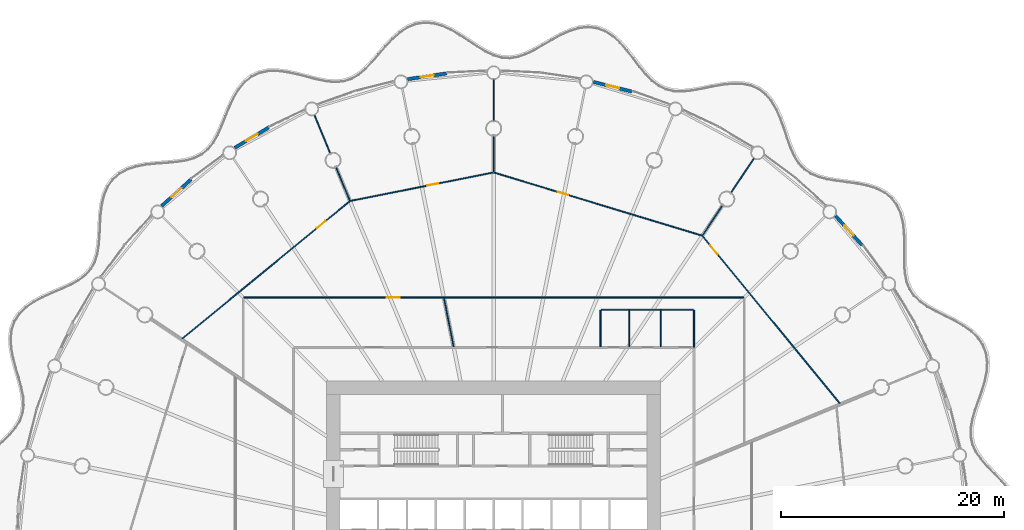
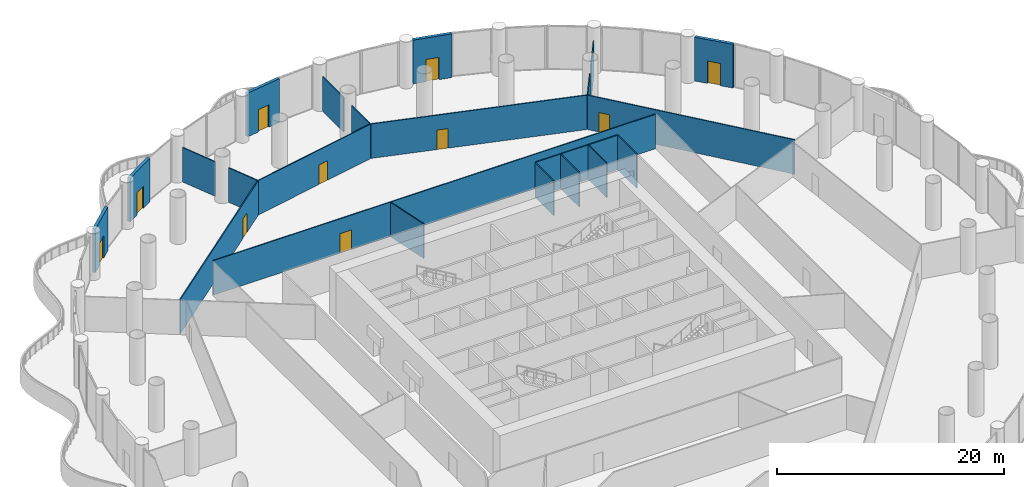
# One storey, part 29 of 38: 22 walls, 10 doors, 10 openings.
"""IFC4 building model written with IfcOpenShell, lengths in metres."""

from ifc_helpers import new_model, si_unit, direction, frame, frame_2d, origin, place, context, subcontext, project, spatial, rectangle, extrude, material, layer, layer_set, type_object, element, fill, save


model = new_model("IFC4")

# Units and contexts
model_context = context("Model", 3, precision=1e-05, world=origin(), true_north=direction((0.0, 1.0)))
body_context = subcontext(model_context, "Body", "Model", "MODEL_VIEW")
ifc_project = project(units=[si_unit("LENGTHUNIT", "METRE"), si_unit("AREAUNIT", "SQUARE_METRE"), si_unit("VOLUMEUNIT", "CUBIC_METRE"), si_unit("PLANEANGLEUNIT", "RADIAN"), si_unit("MASSUNIT", "GRAM", prefix="KILO")], contexts=[model_context])

# Site, building, storey
site_placement = place(None, origin())
site = spatial("IfcSite", under=ifc_project, at=site_placement, CompositionType="ELEMENT")
building_placement = place(site_placement, origin())
building = spatial("IfcBuilding", under=site, at=building_placement, Name="Corvane Civic Tower", CompositionType="ELEMENT")
storey_placement = place(building_placement, frame((0.0, 0.0, 32.0)))
storey = spatial("IfcBuildingStorey", under=building, at=storey_placement, Name="L06", CompositionType="ELEMENT", Elevation=32.0)

# Wall, opening, door
ifc_material_1 = material(Name="Terracotta cladding", Category="masonry")
ifc_layer_1 = layer(ifc_material_1, 0.300048828125)
ifc_layer_set_1 = layer_set([ifc_layer_1], Name="Terracotta cladding")
wall_type_1 = type_object("IfcWallType", Name="PODIUM-W-DRUMDOOR-300", PredefinedType="SOLIDWALL", material=ifc_layer_set_1)
wall_1_placement = place(storey_placement, frame((8.973388671875, 41.872802734375, 0.0), z_axis=(0.0, 0.0, 1.0), x_axis=(0.970025385974, -0.243003601959, 0.0)))
wall_1 = element("IfcWall", 1, at=wall_1_placement, inside=storey, type_object=wall_type_1, Name="L06 drum door bay wall 02", PredefinedType="SOLIDWALL", context=body_context, shape_type="SweptSolid", body=[
    extrude(rectangle(XDim=3.5595703125, YDim=0.300048828125, at=frame_2d((1.77978515625, 0.0))), origin(), (0.0, 0.0, 1.0), 4.699951171875),
])
opening_1_placement = place(wall_1_placement, frame((1.179931640625, 0.0, 0.0)))
opening_1 = element("IfcOpeningElement", 2, at=opening_1_placement, cuts=wall_1, Name="Opening ED-L06-02", PredefinedType="OPENING", context=body_context, shape_type="SweptSolid", body=[
    extrude(rectangle(XDim=1.199951171875, YDim=2.39990234375, at=frame_2d((0.60009765625, 1.199951171875))), frame((0.0, 0.159912109375, 0.0), z_axis=(0.0, -1.0, 0.0), x_axis=(1.0, 0.0, 0.0)), (0.0, 0.0, 1.0), 0.320068359375),
])
ifc_material_2 = material(Name="Anodised aluminium and glass", Category="aluminium")
door_type_1 = type_object("IfcDoorType", Name="PODIUM-D-BALCONY-1200", OperationType="SINGLE_SWING_LEFT", PredefinedType="DOOR", material=ifc_material_2)
door_1_placement = place(opening_1_placement, origin())
door_1 = element("IfcDoor", 3, at=door_1_placement, inside=storey, type_object=door_type_1, Name="L06 balcony door 02", OperationType="SINGLE_SWING_RIGHT", OverallHeight=2.39990234375, OverallWidth=1.199951171875, PredefinedType="DOOR", context=body_context, shape_type="SweptSolid", body=[
    extrude(rectangle(XDim=1.199951171875, YDim=2.39990234375, at=frame_2d((0.60009765625, 1.199951171875))), frame((0.0, 0.02490234375, 0.0), z_axis=(0.0, -1.0, 0.0), x_axis=(1.0, 0.0, 0.0)), (0.0, 0.0, 1.0), 0.050048828125),
])
fill(opening_1, door_1)

wall_2_placement = place(storey_placement, frame((30.72412109375, 29.83056640625, 0.0), z_axis=(0.0, 0.0, 1.0), x_axis=(0.671590022694, -0.740922965913, 0.0)))
wall_2 = element("IfcWall", 4, at=wall_2_placement, inside=storey, type_object=wall_type_1, Name="L06 drum door bay wall 05", PredefinedType="SOLIDWALL", context=body_context, shape_type="SweptSolid", body=[
    extrude(rectangle(XDim=3.56005859375, YDim=0.300048828125, at=frame_2d((1.780029296875, 0.0))), origin(), (0.0, 0.0, 1.0), 4.699951171875),
])
opening_2_placement = place(wall_2_placement, frame((1.179931640625, 0.0, 0.0)))
opening_2 = element("IfcOpeningElement", 5, at=opening_2_placement, cuts=wall_2, Name="Opening ED-L06-05", PredefinedType="OPENING", context=body_context, shape_type="SweptSolid", body=[
    extrude(rectangle(XDim=1.199951171875, YDim=2.39990234375, at=frame_2d((0.60009765625, 1.199951171875))), frame((0.0, 0.159912109375, 0.0), z_axis=(0.0, -1.0, 0.0), x_axis=(1.0, 0.0, 0.0)), (0.0, 0.0, 1.0), 0.320068359375),
])
door_2_placement = place(opening_2_placement, origin())
door_2 = element("IfcDoor", 6, at=door_2_placement, inside=storey, type_object=door_type_1, Name="L06 balcony door 05", OperationType="SINGLE_SWING_LEFT", OverallHeight=2.39990234375, OverallWidth=1.199951171875, PredefinedType="DOOR", context=body_context, shape_type="SweptSolid", body=[
    extrude(rectangle(XDim=1.199951171875, YDim=2.39990234375, at=frame_2d((0.60009765625, 1.199951171875))), frame((0.0, 0.02490234375, 0.0), z_axis=(0.0, -1.0, 0.0), x_axis=(1.0, 0.0, 0.0)), (0.0, 0.0, 1.0), 0.050048828125),
])
fill(opening_2, door_2)

wall_3_placement = place(storey_placement, frame((-29.83056640625, 30.72412109375, 0.0), z_axis=(0.0, 0.0, 1.0), x_axis=(0.740922965913, 0.671590022694, 0.0)))
wall_3 = element("IfcWall", 7, at=wall_3_placement, inside=storey, type_object=wall_type_1, Name="L06 drum door bay wall 29", PredefinedType="SOLIDWALL", context=body_context, shape_type="SweptSolid", body=[
    extrude(rectangle(XDim=3.56005859375, YDim=0.300048828125, at=frame_2d((1.780029296875, 0.0))), origin(), (0.0, 0.0, 1.0), 4.699951171875),
])
opening_3_placement = place(wall_3_placement, frame((1.179931640625, 0.0, 0.0)))
opening_3 = element("IfcOpeningElement", 8, at=opening_3_placement, cuts=wall_3, Name="Opening ED-L06-29", PredefinedType="OPENING", context=body_context, shape_type="SweptSolid", body=[
    extrude(rectangle(XDim=1.199951171875, YDim=2.39990234375, at=frame_2d((0.60009765625, 1.199951171875))), frame((0.0, 0.159912109375, 0.0), z_axis=(0.0, -1.0, 0.0), x_axis=(1.0, 0.0, 0.0)), (0.0, 0.0, 1.0), 0.320068359375),
])
door_3_placement = place(opening_3_placement, origin())
door_3 = element("IfcDoor", 9, at=door_3_placement, inside=storey, type_object=door_type_1, Name="L06 balcony door 29", OperationType="SINGLE_SWING_LEFT", OverallHeight=2.39990234375, OverallWidth=1.199951171875, PredefinedType="DOOR", context=body_context, shape_type="SweptSolid", body=[
    extrude(rectangle(XDim=1.199951171875, YDim=2.39990234375, at=frame_2d((0.60009765625, 1.199951171875))), frame((0.0, 0.02490234375, 0.0), z_axis=(0.0, -1.0, 0.0), x_axis=(1.0, 0.0, 0.0)), (0.0, 0.0, 1.0), 0.050048828125),
])
fill(opening_3, door_3)

wall_4_placement = place(storey_placement, frame((-23.26318359375, 35.95361328125, 0.0), z_axis=(0.0, 0.0, 1.0), x_axis=(0.85770467182, 0.514142680525, 0.0)))
wall_4 = element("IfcWall", 10, at=wall_4_placement, inside=storey, type_object=wall_type_1, Name="L06 drum door bay wall 30", PredefinedType="SOLIDWALL", context=body_context, shape_type="SweptSolid", body=[
    extrude(rectangle(XDim=3.5595703125, YDim=0.300048828125, at=frame_2d((1.77978515625, 0.0))), origin(), (0.0, 0.0, 1.0), 4.699951171875),
])
opening_4_placement = place(wall_4_placement, frame((1.179931640625, 0.0, 0.0)))
opening_4 = element("IfcOpeningElement", 11, at=opening_4_placement, cuts=wall_4, Name="Opening ED-L06-30", PredefinedType="OPENING", context=body_context, shape_type="SweptSolid", body=[
    extrude(rectangle(XDim=1.199951171875, YDim=2.39990234375, at=frame_2d((0.60009765625, 1.199951171875))), frame((0.0, 0.159912109375, 0.0), z_axis=(0.0, -1.0, 0.0), x_axis=(1.0, 0.0, 0.0)), (0.0, 0.0, 1.0), 0.320068359375),
])
door_4_placement = place(opening_4_placement, origin())
door_4 = element("IfcDoor", 12, at=door_4_placement, inside=storey, type_object=door_type_1, Name="L06 balcony door 30", OperationType="SINGLE_SWING_RIGHT", OverallHeight=2.39990234375, OverallWidth=1.199951171875, PredefinedType="DOOR", context=body_context, shape_type="SweptSolid", body=[
    extrude(rectangle(XDim=1.199951171875, YDim=2.39990234375, at=frame_2d((0.60009765625, 1.199951171875))), frame((0.0, 0.02490234375, 0.0), z_axis=(0.0, -1.0, 0.0), x_axis=(1.0, 0.0, 0.0)), (0.0, 0.0, 1.0), 0.050048828125),
])
fill(opening_4, door_4)

wall_5_placement = place(storey_placement, frame((-7.73388671875, 42.119384765625, 0.0), z_axis=(0.0, 0.0, 1.0), x_axis=(0.989180988461, 0.146700279714, 0.0)))
wall_5 = element("IfcWall", 13, at=wall_5_placement, inside=storey, type_object=wall_type_1, Name="L06 drum door bay wall 32", PredefinedType="SOLIDWALL", context=body_context, shape_type="SweptSolid", body=[
    extrude(rectangle(XDim=3.559814453125, YDim=0.300048828125, at=frame_2d((1.77978515625, 0.0))), origin(), (0.0, 0.0, 1.0), 4.699951171875),
])
opening_5_placement = place(wall_5_placement, frame((1.179931640625, 0.0, 0.0)))
opening_5 = element("IfcOpeningElement", 14, at=opening_5_placement, cuts=wall_5, Name="Opening ED-L06-32", PredefinedType="OPENING", context=body_context, shape_type="SweptSolid", body=[
    extrude(rectangle(XDim=1.199951171875, YDim=2.39990234375, at=frame_2d((0.60009765625, 1.199951171875))), frame((0.0, 0.159912109375, 0.0), z_axis=(0.0, -1.0, 0.0), x_axis=(1.0, 0.0, 0.0)), (0.0, 0.0, 1.0), 0.320068359375),
])
door_5_placement = place(opening_5_placement, origin())
door_5 = element("IfcDoor", 15, at=door_5_placement, inside=storey, type_object=door_type_1, Name="L06 balcony door 32", OperationType="SINGLE_SWING_RIGHT", OverallHeight=2.39990234375, OverallWidth=1.199951171875, PredefinedType="DOOR", context=body_context, shape_type="SweptSolid", body=[
    extrude(rectangle(XDim=1.199951171875, YDim=2.39990234375, at=frame_2d((0.60009765625, 1.199951171875))), frame((0.0, 0.02490234375, 0.0), z_axis=(0.0, -1.0, 0.0), x_axis=(1.0, 0.0, 0.0)), (0.0, 0.0, 1.0), 0.050048828125),
])
fill(opening_5, door_5)

ifc_material_3 = material(Name="Plasterboard")
ifc_layer_2 = layer(ifc_material_3, 0.10009765625)
ifc_layer_set_2 = layer_set([ifc_layer_2], Name="Plasterboard")
wall_type_2 = type_object("IfcWallType", Name="Partition 100 plasterboard on studs", PredefinedType="PARTITIONING", material=ifc_layer_set_2)
wall_6_placement = place(storey_placement, frame((18.76806640625, 28.0244140625, 0.0), z_axis=(0.0, 0.0, 1.0), x_axis=(0.634388232957, -0.773014598754, 0.0)))
wall_6 = element("IfcWall", 16, at=wall_6_placement, inside=storey, type_object=wall_type_2, Name="Partition L06.029", PredefinedType="PARTITIONING", context=body_context, shape_type="SweptSolid", body=[
    extrude(rectangle(XDim=19.4833984375, YDim=0.10009765625, at=frame_2d((9.74169921875, 0.0))), origin(), (0.0, 0.0, 1.0), 3.699951171875),
])
opening_6_placement = place(wall_6_placement, frame((1.09033203125, 0.0, 0.0)))
opening_6 = element("IfcOpeningElement", 17, at=opening_6_placement, cuts=wall_6, Name="Opening L06.009", PredefinedType="OPENING", context=body_context, shape_type="SweptSolid", body=[
    extrude(rectangle(XDim=1.0, YDim=2.10009765625, at=frame_2d((0.5, 1.050048828125))), frame((0.0, 0.06005859375, 0.0), z_axis=(0.0, -1.0, 0.0), x_axis=(1.0, 0.0, 0.0)), (0.0, 0.0, 1.0), 0.1201171875),
])
ifc_material_4 = material(Name="Timber", Category="wood")
door_type_2 = type_object("IfcDoorType", Name="Single door 1000", OperationType="NOTDEFINED", PredefinedType="DOOR", material=ifc_material_4)
door_6_placement = place(opening_6_placement, origin())
door_6 = element("IfcDoor", 18, at=door_6_placement, inside=storey, type_object=door_type_2, Name="Door L06.009", OperationType="SINGLE_SWING_LEFT", OverallHeight=2.10009765625, OverallWidth=1.0, PredefinedType="DOOR", context=body_context, shape_type="SweptSolid", body=[
    extrude(rectangle(XDim=1.0, YDim=2.10009765625, at=frame_2d((0.5, 1.050048828125))), frame((0.0, 0.02490234375, 0.0), z_axis=(0.0, -1.0, 0.0), x_axis=(1.0, 0.0, 0.0)), (0.0, 0.0, 1.0), 0.050048828125),
])
fill(opening_6, door_6)

# Walls
wall_7_placement = place(storey_placement, frame((18.0, 18.050048828125, 0.0), z_axis=(0.0, 0.0, 1.0), x_axis=(0.0, 1.0, 0.0)))
element("IfcWall", 19, at=wall_7_placement, inside=storey, type_object=wall_type_2, Name="Partition L06.033", PredefinedType="PARTITIONING", context=body_context, shape_type="SweptSolid", body=[
    extrude(rectangle(XDim=3.300048828125, YDim=0.10009765625, at=frame_2d((1.64990234375, 0.0))), origin(), (0.0, 0.0, 1.0), 3.699951171875),
])
for number, where, z_axis, x_axis, name in (
    (20, (9.60009765625, 18.074951171875, 0.0), (0.0, 0.0, 1.0), (0.0, 1.0, 0.0), "Partition L06.034"),
    (21, (12.199951171875, 18.074951171875, 0.0), (0.0, 0.0, 1.0), (0.0, 1.0, 0.0), "Partition L06.035"),
    (22, (15.0, 18.074951171875, 0.0), (0.0, 0.0, 1.0), (0.0, 1.0, 0.0), "Partition L06.036"),
):
    element("IfcWall", number, at=place(storey_placement, frame(where, z_axis=z_axis, x_axis=x_axis)), inside=storey, type_object=wall_type_2, Name=name, PredefinedType="PARTITIONING", context=body_context, shape_type="SweptSolid", body=[
        extrude(rectangle(XDim=3.275146484375, YDim=0.10009765625, at=frame_2d((1.6376953125, 0.0))), origin(), (0.0, 0.0, 1.0), 3.699951171875),
    ])
wall_8_placement = place(storey_placement, frame((-4.463623046875, 22.440185546875, 0.0), z_axis=(0.0, 0.0, 1.0), x_axis=(0.195058769124, -0.980791556136, 0.0)))
element("IfcWall", 23, at=wall_8_placement, inside=storey, type_object=wall_type_2, Name="Partition L06.037", PredefinedType="PARTITIONING", context=body_context, shape_type="SweptSolid", body=[
    extrude(rectangle(XDim=4.440673828125, YDim=0.10009765625, at=frame_2d((2.22021484375, 0.0))), origin(), (0.0, 0.0, 1.0), 3.699951171875),
])

# Wall, opening, door
wall_9_placement = place(storey_placement, frame((-28.0009765625, 18.787353515625, 0.0), z_axis=(0.0, 0.0, 1.0), x_axis=(0.773015700752, 0.634386890147, 0.0)))
wall_9 = element("IfcWall", 24, at=wall_9_placement, inside=storey, type_object=wall_type_2, Name="Partition L06.038", PredefinedType="PARTITIONING", context=body_context, shape_type="SweptSolid", body=[
    extrude(rectangle(XDim=19.483154296875, YDim=0.10009765625, at=frame_2d((9.74169921875, 0.0))), origin(), (0.0, 0.0, 1.0), 3.699951171875),
])
opening_7_placement = place(wall_9_placement, frame((15.68408203125, 0.0, 0.0)))
opening_7 = element("IfcOpeningElement", 25, at=opening_7_placement, cuts=wall_9, Name="Opening L06.006", PredefinedType="OPENING", context=body_context, shape_type="SweptSolid", body=[
    extrude(rectangle(XDim=1.0, YDim=2.10009765625, at=frame_2d((0.5, 1.050048828125))), frame((0.0, 0.06005859375, 0.0), z_axis=(0.0, -1.0, 0.0), x_axis=(1.0, 0.0, 0.0)), (0.0, 0.0, 1.0), 0.1201171875),
])
door_7_placement = place(opening_7_placement, origin())
door_7 = element("IfcDoor", 26, at=door_7_placement, inside=storey, type_object=door_type_2, Name="Door L06.006", OperationType="SINGLE_SWING_LEFT", OverallHeight=2.10009765625, OverallWidth=1.0, PredefinedType="DOOR", context=body_context, shape_type="SweptSolid", body=[
    extrude(rectangle(XDim=1.0, YDim=2.10009765625, at=frame_2d((0.5, 1.050048828125))), frame((0.0, 0.02490234375, 0.0), z_axis=(0.0, -1.0, 0.0), x_axis=(1.0, 0.0, 0.0)), (0.0, 0.0, 1.0), 0.050048828125),
])
fill(opening_7, door_7)

# Wall
wall_10_placement = place(storey_placement, frame((9.64990234375, 21.39990234375, 0.0), z_axis=(0.0, 0.0, 1.0), x_axis=(1.0, 0.0, 0.0)))
element("IfcWall", 27, at=wall_10_placement, inside=storey, type_object=wall_type_2, Name="Partition L06.040", PredefinedType="PARTITIONING", context=body_context, shape_type="SweptSolid", body=[
    extrude(rectangle(XDim=8.300048828125, YDim=0.10009765625, at=frame_2d((4.14990234375, 0.0))), origin(), (0.0, 0.0, 1.0), 3.699951171875),
])

# Wall, opening, door
wall_11_placement = place(storey_placement, frame((-22.449951171875, 22.5, 0.0), z_axis=(0.0, 0.0, 1.0), x_axis=(1.0, 0.0, 0.0)))
wall_11 = element("IfcWall", 28, at=wall_11_placement, inside=storey, type_object=wall_type_2, Name="Partition L06.041", PredefinedType="PARTITIONING", context=body_context, shape_type="SweptSolid", body=[
    extrude(rectangle(XDim=44.89990234375, YDim=0.10009765625, at=frame_2d((22.449951171875, 0.0))), origin(), (0.0, 0.0, 1.0), 3.699951171875),
])
opening_8_placement = place(wall_11_placement, frame((12.823974609375, 0.0, 0.0)))
opening_8 = element("IfcOpeningElement", 29, at=opening_8_placement, cuts=wall_11, Name="Opening L06.010", PredefinedType="OPENING", context=body_context, shape_type="SweptSolid", body=[
    extrude(rectangle(XDim=1.199951171875, YDim=2.10009765625, at=frame_2d((0.60009765625, 1.050048828125))), frame((0.0, 0.06005859375, 0.0), z_axis=(0.0, -1.0, 0.0), x_axis=(1.0, 0.0, 0.0)), (0.0, 0.0, 1.0), 0.1201171875),
])
ifc_material_5 = material(Name="Timber", Category="wood")
door_type_3 = type_object("IfcDoorType", Name="Double door 1200", OperationType="NOTDEFINED", PredefinedType="DOOR", material=ifc_material_5)
door_8_placement = place(opening_8_placement, origin())
door_8 = element("IfcDoor", 30, at=door_8_placement, inside=storey, type_object=door_type_3, Name="Door L06.010", OperationType="DOUBLE_DOOR_SINGLE_SWING", OverallHeight=2.10009765625, OverallWidth=1.199951171875, PredefinedType="DOOR", context=body_context, shape_type="SweptSolid", body=[
    extrude(rectangle(XDim=1.199951171875, YDim=2.10009765625, at=frame_2d((0.60009765625, 1.050048828125))), frame((0.0, 0.02490234375, 0.0), z_axis=(0.0, -1.0, 0.0), x_axis=(1.0, 0.0, 0.0)), (0.0, 0.0, 1.0), 0.050048828125),
])
fill(opening_8, door_8)

wall_12_placement = place(storey_placement, frame((0.035400390625, 33.728515625, 0.0), z_axis=(0.0, 0.0, 1.0), x_axis=(0.956940606081, -0.290283786033, 0.0)))
wall_12 = element("IfcWall", 31, at=wall_12_placement, inside=storey, type_object=wall_type_2, Name="Partition L06.042", PredefinedType="PARTITIONING", context=body_context, shape_type="SweptSolid", body=[
    extrude(rectangle(XDim=19.513916015625, YDim=0.10009765625, at=frame_2d((9.7568359375, 0.0))), origin(), (0.0, 0.0, 1.0), 3.699951171875),
])
opening_9_placement = place(wall_12_placement, frame((5.965087890625, 0.0, 0.0)))
opening_9 = element("IfcOpeningElement", 32, at=opening_9_placement, cuts=wall_12, Name="Opening L06.008", PredefinedType="OPENING", context=body_context, shape_type="SweptSolid", body=[
    extrude(rectangle(XDim=1.0, YDim=2.10009765625, at=frame_2d((0.5, 1.050048828125))), frame((0.0, 0.06005859375, 0.0), z_axis=(0.0, -1.0, 0.0), x_axis=(1.0, 0.0, 0.0)), (0.0, 0.0, 1.0), 0.1201171875),
])
door_9_placement = place(opening_9_placement, origin())
door_9 = element("IfcDoor", 33, at=door_9_placement, inside=storey, type_object=door_type_2, Name="Door L06.008", OperationType="SINGLE_SWING_LEFT", OverallHeight=2.10009765625, OverallWidth=1.0, PredefinedType="DOOR", context=body_context, shape_type="SweptSolid", body=[
    extrude(rectangle(XDim=1.0, YDim=2.10009765625, at=frame_2d((0.5, 1.050048828125))), frame((0.0, 0.02490234375, 0.0), z_axis=(0.0, -1.0, 0.0), x_axis=(1.0, 0.0, 0.0)), (0.0, 0.0, 1.0), 0.050048828125),
])
fill(opening_9, door_9)

# Wall
wall_13_placement = place(storey_placement, frame((18.76513671875, 28.083984375, 0.0), z_axis=(0.0, 0.0, 1.0), x_axis=(0.555558931015, 0.831477163949, 0.0)))
element("IfcWall", 34, at=wall_13_placement, inside=storey, type_object=wall_type_2, Name="Partition L06.043", PredefinedType="PARTITIONING", context=body_context, shape_type="SweptSolid", body=[
    extrude(rectangle(XDim=3.213623046875, YDim=0.10009765625, at=frame_2d((1.60693359375, 0.0))), origin(), (0.0, 0.0, 1.0), 3.699951171875),
])

# Wall, opening, door
wall_14_placement = place(storey_placement, frame((-12.87109375, 31.178955078125, 0.0), z_axis=(0.0, 0.0, 1.0), x_axis=(0.980784707165, 0.195093203857, 0.0)))
wall_14 = element("IfcWall", 35, at=wall_14_placement, inside=storey, type_object=wall_type_2, Name="Partition L06.044", PredefinedType="PARTITIONING", context=body_context, shape_type="SweptSolid", body=[
    extrude(rectangle(XDim=13.082275390625, YDim=0.10009765625, at=frame_2d((6.541015625, 0.0))), origin(), (0.0, 0.0, 1.0), 3.699951171875),
])
opening_10_placement = place(wall_14_placement, frame((7.058837890625, 0.0, 0.0)))
opening_10 = element("IfcOpeningElement", 36, at=opening_10_placement, cuts=wall_14, Name="Opening L06.007", PredefinedType="OPENING", context=body_context, shape_type="SweptSolid", body=[
    extrude(rectangle(XDim=1.0, YDim=2.10009765625, at=frame_2d((0.5, 1.050048828125))), frame((0.0, 0.06005859375, 0.0), z_axis=(0.0, -1.0, 0.0), x_axis=(1.0, 0.0, 0.0)), (0.0, 0.0, 1.0), 0.1201171875),
])
door_10_placement = place(opening_10_placement, origin())
door_10 = element("IfcDoor", 37, at=door_10_placement, inside=storey, type_object=door_type_2, Name="Door L06.007", OperationType="SINGLE_SWING_RIGHT", OverallHeight=2.10009765625, OverallWidth=1.0, PredefinedType="DOOR", context=body_context, shape_type="SweptSolid", body=[
    extrude(rectangle(XDim=1.0, YDim=2.10009765625, at=frame_2d((0.5, 1.050048828125))), frame((0.0, 0.02490234375, 0.0), z_axis=(0.0, -1.0, 0.0), x_axis=(1.0, 0.0, 0.0)), (0.0, 0.0, 1.0), 0.050048828125),
])
fill(opening_10, door_10)

# Walls
wall_15_placement = place(storey_placement, frame((-14.155517578125, 34.17431640625, 0.0), z_axis=(0.0, 0.0, 1.0), x_axis=(0.382718998323, -0.923864799807, 0.0)))
element("IfcWall", 38, at=wall_15_placement, inside=storey, type_object=wall_type_2, Name="Partition L06.045", PredefinedType="PARTITIONING", context=body_context, shape_type="SweptSolid", body=[
    extrude(rectangle(XDim=3.2099609375, YDim=0.10009765625, at=frame_2d((1.60498046875, 0.0))), origin(), (0.0, 0.0, 1.0), 3.699951171875),
])
wall_16_placement = place(storey_placement, frame((21.339599609375, 31.936767578125, 0.0), z_axis=(0.0, 0.0, 1.0), x_axis=(0.555511389691, 0.831508927146, 0.0)))
element("IfcWall", 39, at=wall_16_placement, inside=storey, type_object=wall_type_2, Name="Partition L06.046", PredefinedType="PARTITIONING", context=body_context, shape_type="SweptSolid", body=[
    extrude(rectangle(XDim=3.679931640625, YDim=0.10009765625, at=frame_2d((1.83984375, 0.0))), origin(), (0.0, 0.0, 1.0), 3.699951171875),
])
wall_17_placement = place(storey_placement, frame((0.0, 33.7802734375, 0.0), z_axis=(0.0, 0.0, 1.0), x_axis=(0.0, 1.0, 0.0)))
element("IfcWall", 40, at=wall_17_placement, inside=storey, type_object=wall_type_2, Name="Partition L06.047", PredefinedType="PARTITIONING", context=body_context, shape_type="SweptSolid", body=[
    extrude(rectangle(XDim=3.209716796875, YDim=0.10009765625, at=frame_2d((1.60498046875, 0.0))), origin(), (0.0, 0.0, 1.0), 3.699951171875),
])
wall_18_placement = place(storey_placement, frame((-16.107177734375, 38.885986328125, 0.0), z_axis=(0.0, 0.0, 1.0), x_axis=(0.382687744427, -0.923877746385, 0.0)))
element("IfcWall", 41, at=wall_18_placement, inside=storey, type_object=wall_type_2, Name="Partition L06.048", PredefinedType="PARTITIONING", context=body_context, shape_type="SweptSolid", body=[
    extrude(rectangle(XDim=3.6796875, YDim=0.10009765625, at=frame_2d((1.83984375, 0.0))), origin(), (0.0, 0.0, 1.0), 3.699951171875),
])
wall_19_placement = place(storey_placement, frame((0.0, 38.409912109375, 0.0), z_axis=(0.0, 0.0, 1.0), x_axis=(0.0, 1.0, 0.0)))
element("IfcWall", 42, at=wall_19_placement, inside=storey, type_object=wall_type_2, Name="Partition L06.049", PredefinedType="PARTITIONING", context=body_context, shape_type="SweptSolid", body=[
    extrude(rectangle(XDim=3.68017578125, YDim=0.10009765625, at=frame_2d((1.840087890625, 0.0))), origin(), (0.0, 0.0, 1.0), 3.699951171875),
])

save(model, "model.ifc")
